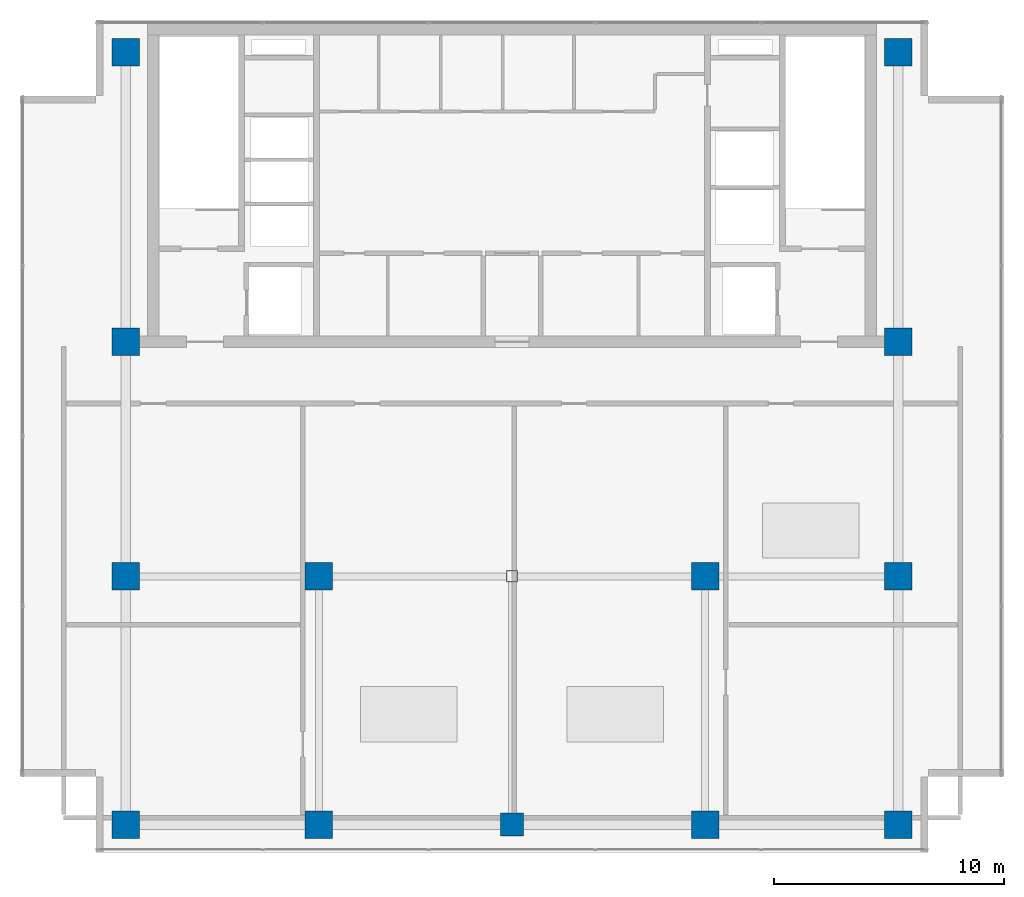
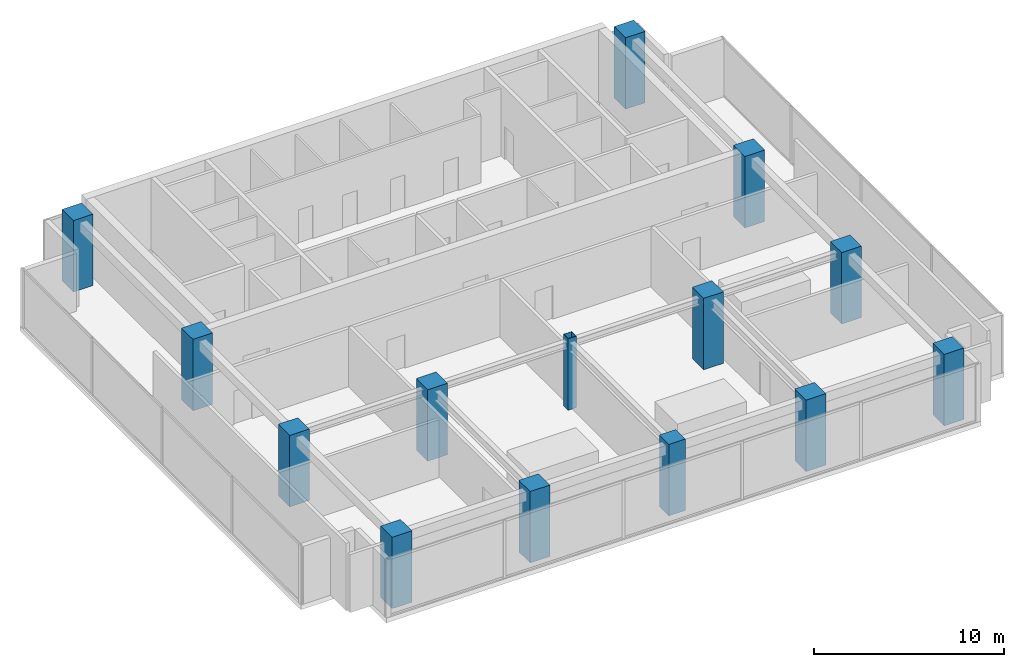
# One storey, part 1 of 19: 14 columns.
"""IFC4 building model written with IfcOpenShell, lengths in metres."""

from ifc_helpers import new_model, si_unit, direction, frame, origin, origin_with_axes, origin_2d, place, context, subcontext, project, spatial, rectangle, hollow_rectangle, extrude, source, transform, mapped, material, material_profile, profile_set, type_object, element, save


model = new_model("IFC4")

# Units and contexts
model_context = context("Model", 3, precision=1e-05, world=origin(), true_north=direction((0.0, 1.0)))
body_context = subcontext(model_context, "Body", "Model", "MODEL_VIEW")
ifc_project = project(units=[si_unit("LENGTHUNIT", "METRE"), si_unit("AREAUNIT", "SQUARE_METRE"), si_unit("VOLUMEUNIT", "CUBIC_METRE"), si_unit("PLANEANGLEUNIT", "RADIAN"), si_unit("MASSUNIT", "GRAM", prefix="KILO")], contexts=[model_context])

# Site, building, storey
site_placement = place(None, origin())
site = spatial("IfcSite", under=ifc_project, at=site_placement, CompositionType="ELEMENT")
building_placement = place(site_placement, origin())
building = spatial("IfcBuilding", under=site, at=building_placement, Name="Sumidabori Civic Tower", CompositionType="ELEMENT")
storey_placement = place(building_placement, frame((0.0, 0.0, 293.60009765625)))
storey = spatial("IfcBuildingStorey", under=building, at=storey_placement, Name="L77", CompositionType="ELEMENT", Elevation=293.60009765625)

# Columns
ifc_material_1 = material(Name="Concrete C50/60", Category="concrete")
ifc_material_profile_1 = material_profile(ifc_material_1, rectangle(XDim=1.199951171875, YDim=1.199951171875, at=origin_2d()), Name="RC 1200x1200")
ifc_profile_set_1 = profile_set([ifc_material_profile_1], Name="Concrete C50/60")
column_type_1 = type_object("IfcColumnType", Name="CL-MEGA-1200", PredefinedType="COLUMN", material=ifc_profile_set_1)
shared_shape_1 = source(origin(), body_context, "Body", "SweptSolid", [
    extrude(rectangle(XDim=1.199951171875, YDim=1.199951171875, at=origin_2d()), origin(), (0.0, 0.0, 1.0), 4.599853515625),
])
for number, where, z_axis, x_axis, name in (
    (1, (-16.800048828125, -10.800048828125, 0.0), (0.0, 0.0, 1.0), (1.0, 0.0, 0.0), "Column MC-W16-Y11S L77"),
    (2, (-16.800048828125, 0.0, 0.0), (0.0, 0.0, 1.0), (1.0, 0.0, 0.0), "Column MC-W16-Y00 L77"),
    (3, (-16.800048828125, 10.199951171875, 0.0), (0.0, 0.0, 1.0), (1.0, 0.0, 0.0), "Column MC-W16-Y10N L77"),
    (4, (-16.800048828125, 22.800048828125, 0.0), (0.0, 0.0, 1.0), (1.0, 0.0, 0.0), "Column MC-W16-Y23N L77"),
    (5, (16.800048828125, -10.800048828125, 0.0), (0.0, 0.0, 1.0), (1.0, 0.0, 0.0), "Column MC-E16-Y11S L77"),
    (6, (16.800048828125, 0.0, 0.0), (0.0, 0.0, 1.0), (1.0, 0.0, 0.0), "Column MC-E16-Y00 L77"),
    (7, (16.800048828125, 10.199951171875, 0.0), (0.0, 0.0, 1.0), (1.0, 0.0, 0.0), "Column MC-E16-Y10N L77"),
    (8, (16.800048828125, 22.800048828125, 0.0), (0.0, 0.0, 1.0), (1.0, 0.0, 0.0), "Column MC-E16-Y23N L77"),
    (9, (-8.39990234375, 0.0, 0.0), (0.0, 0.0, 1.0), (1.0, 0.0, 0.0), "Column MC-W08-Y00 L77"),
    (10, (-8.39990234375, -10.800048828125, 0.0), (0.0, 0.0, 1.0), (1.0, 0.0, 0.0), "Column MC-W08-Y11S L77"),
    (11, (8.39990234375, 0.0, 0.0), (0.0, 0.0, 1.0), (1.0, 0.0, 0.0), "Column MC-E08-Y00 L77"),
    (12, (8.39990234375, -10.800048828125, 0.0), (0.0, 0.0, 1.0), (1.0, 0.0, 0.0), "Column MC-E08-Y11S L77"),
):
    element("IfcColumn", number, at=place(storey_placement, frame(where, z_axis=z_axis, x_axis=x_axis)), inside=storey, type_object=column_type_1, Name=name, PredefinedType="COLUMN", context=body_context, shape_type="MappedRepresentation", body=[
        mapped(shared_shape_1, transform((0.0, 0.0, 0.0), x_axis=(1.0, 0.0, 0.0), y_axis=(0.0, 1.0, 0.0), z_axis=(0.0, 0.0, 1.0), scale=1.0)),
    ])
ifc_material_profile_2 = material_profile(ifc_material_1, rectangle(XDim=1.0, YDim=1.0, at=origin_2d()), Name="RC 1000x1000")
ifc_profile_set_2 = profile_set([ifc_material_profile_2], Name="Concrete C50/60")
column_type_2 = type_object("IfcColumnType", Name="CL-INT-1000", PredefinedType="COLUMN", material=ifc_profile_set_2)
shared_shape_2 = source(origin(), body_context, "Body", "SweptSolid", [
    extrude(rectangle(XDim=1.0, YDim=1.0, at=origin_2d()), origin(), (0.0, 0.0, 1.0), 4.599853515625),
])
column_1_placement = place(storey_placement, frame((0.0, -10.800048828125, 0.0), z_axis=(0.0, 0.0, 1.0), x_axis=(1.0, 0.0, 0.0)))
element("IfcColumn", 13, at=column_1_placement, inside=storey, type_object=column_type_2, Name="Column MC-C00-Y11S L77", PredefinedType="COLUMN", context=body_context, shape_type="MappedRepresentation", body=[
    mapped(shared_shape_2, transform((0.0, 0.0, 0.0), x_axis=(1.0, 0.0, 0.0), y_axis=(0.0, 1.0, 0.0), z_axis=(0.0, 0.0, 1.0), scale=1.0)),
])
ifc_material_2 = material(Name="Steel SN490", Category="steel")
ifc_material_profile_3 = material_profile(ifc_material_2, hollow_rectangle(XDim=0.5, YDim=0.5, WallThickness=0.02490234375, at=origin_2d()), Name="SHS 500x500x25")
ifc_profile_set_3 = profile_set([ifc_material_profile_3], Name="Steel SN490")
column_type_3 = type_object("IfcColumnType", Name="CL-CRN-SHS500", PredefinedType="COLUMN", material=ifc_profile_set_3)
shared_shape_3 = source(origin(), body_context, "Body", "SweptSolid", [
    extrude(hollow_rectangle(XDim=0.5, YDim=0.5, WallThickness=0.02490234375, at=origin_2d()), origin(), (0.0, 0.0, 1.0), 4.599853515625),
])
column_2_placement = place(storey_placement, origin_with_axes())
element("IfcColumn", 14, at=column_2_placement, inside=storey, type_object=column_type_3, Name="Column MC-C00-Y00 L77", PredefinedType="COLUMN", context=body_context, shape_type="MappedRepresentation", body=[
    mapped(shared_shape_3, transform((0.0, 0.0, 0.0), x_axis=(1.0, 0.0, 0.0), y_axis=(0.0, 1.0, 0.0), z_axis=(0.0, 0.0, 1.0), scale=1.0)),
])

save(model, "model.ifc")
